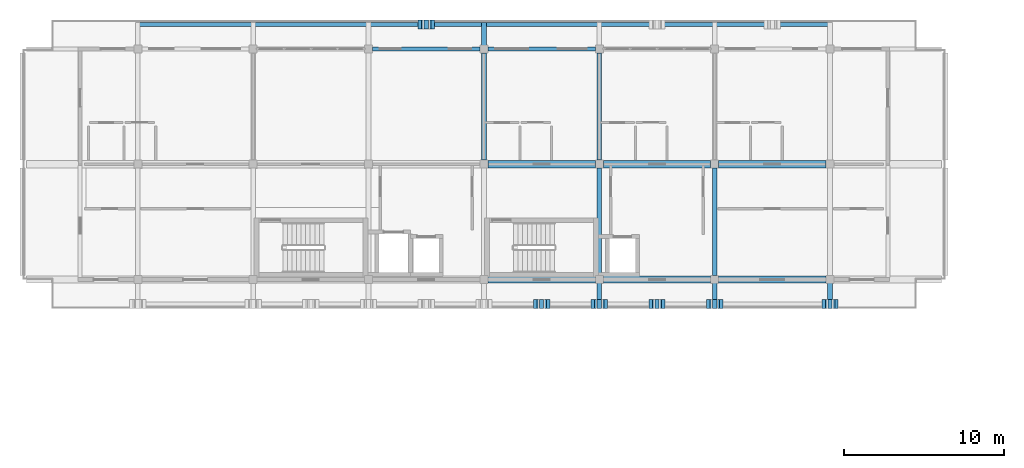
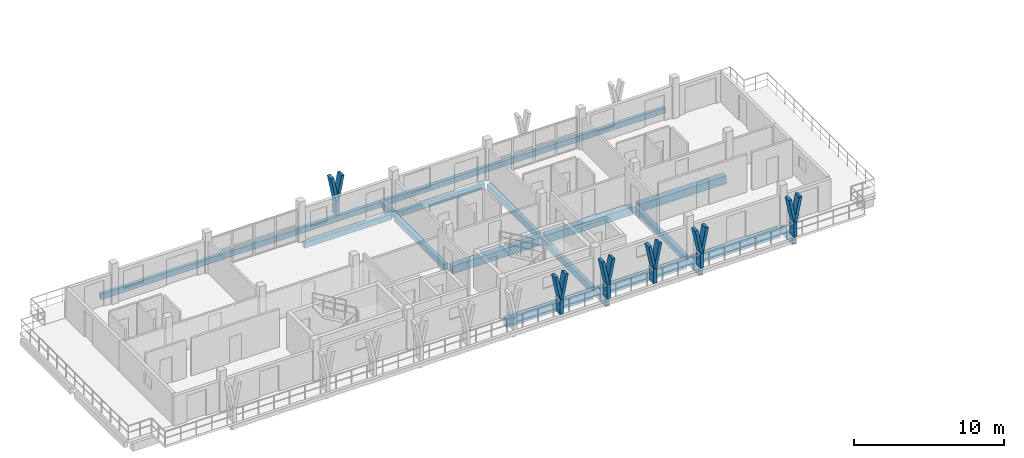
# One storey, part 8 of 19: 18 members, 17 beams.
"""IFC4 building model written with IfcOpenShell, lengths in metres."""

from ifc_helpers import new_model, si_unit, direction, frame, origin, origin_2d, place, context, subcontext, project, spatial, rectangle, extrude, material, material_profile, profile_set, type_object, element, save


model = new_model("IFC4")

# Units and contexts
model_context = context("Model", 3, precision=1e-05, world=origin(), true_north=direction((0.0, 1.0)))
body_context = subcontext(model_context, "Body", "Model", "MODEL_VIEW")
ifc_project = project(units=[si_unit("LENGTHUNIT", "METRE"), si_unit("AREAUNIT", "SQUARE_METRE"), si_unit("VOLUMEUNIT", "CUBIC_METRE"), si_unit("PLANEANGLEUNIT", "RADIAN"), si_unit("MASSUNIT", "GRAM", prefix="KILO")], contexts=[model_context])

# Site, building, storey
site_placement = place(None, origin())
site = spatial("IfcSite", under=ifc_project, at=site_placement, CompositionType="ELEMENT")
building_placement = place(site_placement, origin())
building = spatial("IfcBuilding", under=site, at=building_placement, Name="Suanplinth Sawtooth Commons", CompositionType="ELEMENT")
storey_placement = place(building_placement, frame((0.0, 0.0, 44.39990234375)))
storey = spatial("IfcBuildingStorey", under=building, at=storey_placement, Name="L13", CompositionType="ELEMENT", Elevation=44.39990234375)

# Beams
ifc_material_1 = material(Name="Precast concrete C40/50", Category="concrete")
ifc_material_profile_1 = material_profile(ifc_material_1, rectangle(XDim=0.449951171875, YDim=0.64990234375, at=origin_2d()), Name="PC-GDR 450x650")
ifc_profile_set_1 = profile_set([ifc_material_profile_1], Name="Precast concrete C40/50")
beam_type_1 = type_object("IfcBeamType", Name="B-04", PredefinedType="USERDEFINED", material=ifc_profile_set_1)
for number, where, z_axis, x_axis, name in (
    (1, (57.85009765625, 108.0, -0.574951171875), (1.0, 0.0, 0.0), (0.0, 1.0, 0.0), "BMX-L13-A-8-15"),
    (2, (57.85009765625, 115.199951171875, -0.574951171875), (1.0, 0.0, 0.0), (0.0, 1.0, 0.0), "BMX-L13-A-8-16"),
    (3, (65.050048828125, 108.0, -0.574951171875), (1.0, 0.0, 0.0), (0.0, 1.0, 0.0), "BMX-L13-A-9-15"),
    (4, (65.050048828125, 115.199951171875, -0.574951171875), (1.0, 0.0, 0.0), (0.0, 1.0, 0.0), "BMX-L13-A-9-16"),
    (5, (72.25, 108.0, -0.574951171875), (1.0, 0.0, 0.0), (0.0, 1.0, 0.0), "BMX-L13-A-10-15"),
    (6, (72.25, 115.199951171875, -0.574951171875), (1.0, 0.0, 0.0), (0.0, 1.0, 0.0), "BMX-L13-A-10-16"),
):
    element("IfcBeam", number, at=place(storey_placement, frame(where, z_axis=z_axis, x_axis=x_axis)), inside=storey, type_object=beam_type_1, Name=name, ObjectType="GIRDER", PredefinedType="USERDEFINED", context=body_context, shape_type="SweptSolid", body=[
        extrude(rectangle(XDim=0.449951171875, YDim=0.64990234375, at=origin_2d()), origin(), (0.0, 0.0, 1.0), 6.699951171875),
    ])
ifc_material_profile_2 = material_profile(ifc_material_1, rectangle(XDim=0.300048828125, YDim=0.5, at=origin_2d()), Name="PC-BM 300x500")
ifc_profile_set_2 = profile_set([ifc_material_profile_2], Name="Precast concrete C40/50")
beam_type_2 = type_object("IfcBeamType", Name="B-07", PredefinedType="BEAM", material=ifc_profile_set_2)
for number, where, z_axis, x_axis, name in (
    (7, (57.60009765625, 115.449951171875, -0.5), (0.0, 1.0, 0.0), (-1.0, 0.0, 0.0), "BMY-L13-A-8-16"),
    (8, (64.800048828125, 108.25, -0.5), (0.0, 1.0, 0.0), (-1.0, 0.0, 0.0), "BMY-L13-A-9-15"),
    (9, (64.800048828125, 115.449951171875, -0.5), (0.0, 1.0, 0.0), (-1.0, 0.0, 0.0), "BMY-L13-A-9-16"),
    (10, (72.0, 108.25, -0.5), (0.0, 1.0, 0.0), (-1.0, 0.0, 0.0), "BMY-L13-A-10-15"),
):
    element("IfcBeam", number, at=place(storey_placement, frame(where, z_axis=z_axis, x_axis=x_axis)), inside=storey, type_object=beam_type_2, Name=name, PredefinedType="BEAM", context=body_context, shape_type="SweptSolid", body=[
        extrude(rectangle(XDim=0.300048828125, YDim=0.5, at=origin_2d()), origin(), (0.0, 0.0, 1.0), 6.699951171875),
    ])
beam_1_placement = place(storey_placement, frame((57.60009765625, 122.39990234375, -0.429931640625), z_axis=(0.0, 1.0, 0.0), x_axis=(-1.0, 0.0, 0.0)))
element("IfcBeam", 11, at=beam_1_placement, inside=storey, type_object=beam_type_2, Name="Balcony Outrigger L13-A-N-8", PredefinedType="BEAM", context=body_context, shape_type="SweptSolid", body=[
    extrude(rectangle(XDim=0.300048828125, YDim=0.5, at=origin_2d()), origin(), (0.0, 0.0, 1.0), 1.64013671875),
])
for number, where, z_axis, x_axis, name in (
    (12, (64.800048828125, 108.0, -0.429931640625), (0.0, -1.0, 0.0), (1.0, 0.0, 0.0), "Balcony Outrigger L13-A-S-9"),
    (13, (72.0, 108.0, -0.429931640625), (0.0, -1.0, 0.0), (1.0, 0.0, 0.0), "Balcony Outrigger L13-A-S-10"),
    (14, (79.199951171875, 108.0, -0.429931640625), (0.0, -1.0, 0.0), (1.0, 0.0, 0.0), "Balcony Outrigger L13-A-S-11"),
):
    element("IfcBeam", number, at=place(storey_placement, frame(where, z_axis=z_axis, x_axis=x_axis)), inside=storey, type_object=beam_type_2, Name=name, PredefinedType="BEAM", context=body_context, shape_type="SweptSolid", body=[
        extrude(rectangle(XDim=0.300048828125, YDim=0.5, at=origin_2d()), origin(), (0.0, 0.0, 1.0), 1.639892578125),
    ])
ifc_material_profile_3 = material_profile(ifc_material_1, rectangle(XDim=0.25, YDim=0.449951171875, at=origin_2d()), Name="PC-SP 250x450")
ifc_profile_set_3 = profile_set([ifc_material_profile_3], Name="Precast concrete C40/50")
beam_type_3 = type_object("IfcBeamType", Name="B-09", PredefinedType="SPANDREL", material=ifc_profile_set_3)
beam_2_placement = place(storey_placement, frame((50.64990234375, 122.39990234375, -0.474853515625), z_axis=(1.0, 0.0, 0.0), x_axis=(0.0, 1.0, 0.0)))
element("IfcBeam", 15, at=beam_2_placement, inside=storey, type_object=beam_type_3, Name="BMX-L13-A-7-17", PredefinedType="SPANDREL", context=body_context, shape_type="SweptSolid", body=[
    extrude(rectangle(XDim=0.25, YDim=0.449951171875, at=origin_2d()), origin(), (0.0, 0.0, 1.0), 6.7001953125),
])
beam_3_placement = place(storey_placement, frame((57.85009765625, 122.39990234375, -0.474853515625), z_axis=(1.0, 0.0, 0.0), x_axis=(0.0, 1.0, 0.0)))
element("IfcBeam", 16, at=beam_3_placement, inside=storey, type_object=beam_type_3, Name="BMX-L13-A-8-17", PredefinedType="SPANDREL", context=body_context, shape_type="SweptSolid", body=[
    extrude(rectangle(XDim=0.25, YDim=0.449951171875, at=origin_2d()), origin(), (0.0, 0.0, 1.0), 6.699951171875),
])
beam_4_placement = place(storey_placement, frame((35.85009765625, 123.919921875, -0.40478515625), z_axis=(1.0, 0.0, 0.0), x_axis=(0.0, 1.0, 0.0)))
element("IfcBeam", 17, at=beam_4_placement, inside=storey, type_object=beam_type_3, Name="Balcony Edge Fascia L13-A-N", PredefinedType="SPANDREL", context=body_context, shape_type="SweptSolid", body=[
    extrude(rectangle(XDim=0.25, YDim=0.449951171875, at=origin_2d()), origin(), (0.0, 0.0, 1.0), 43.5),
])

# Members
ifc_material_2 = material(Name="Pigmented precast concrete C40/50", Category="concrete")
ifc_material_profile_4 = material_profile(ifc_material_2, rectangle(XDim=0.260009765625, YDim=0.550048828125, at=origin_2d()), Name="PC-FIN 260x550")
ifc_profile_set_4 = profile_set([ifc_material_profile_4], Name="Pigmented precast concrete C40/50")
member_type_1 = type_object("IfcMemberType", Name="M-09", PredefinedType="USERDEFINED", material=ifc_profile_set_4)
for number, where, z_axis, x_axis, name in (
    (18, (54.0, 123.919921875, 0.0), (0.0, 0.0, 1.0), (1.0, 0.0, 0.0), "Y-Blade Stem L13-A-N-01"),
    (19, (61.199951171875, 106.47998046875, 0.0), (0.0, 0.0, 1.0), (1.0, 0.0, 0.0), "Y-Blade Stem L13-A-S-10"),
    (20, (64.800048828125, 106.47998046875, 0.0), (0.0, 0.0, 1.0), (1.0, 0.0, 0.0), "Y-Blade Stem L13-A-S-11"),
    (21, (68.39990234375, 106.47998046875, 0.0), (0.0, 0.0, 1.0), (1.0, 0.0, 0.0), "Y-Blade Stem L13-A-S-12"),
    (22, (72.0, 106.47998046875, 0.0), (0.0, 0.0, 1.0), (1.0, 0.0, 0.0), "Y-Blade Stem L13-A-S-13"),
    (23, (79.199951171875, 106.47998046875, 0.0), (0.0, 0.0, 1.0), (1.0, 0.0, 0.0), "Y-Blade Stem L13-A-S-14"),
):
    element("IfcMember", number, at=place(storey_placement, frame(where, z_axis=z_axis, x_axis=x_axis)), inside=storey, type_object=member_type_1, Name=name, ObjectType="SHADING FIN", PredefinedType="USERDEFINED", context=body_context, shape_type="SweptSolid", body=[
        extrude(rectangle(XDim=0.260009765625, YDim=0.550048828125, at=origin_2d()), origin(), (0.0, 0.0, 1.0), 1.170166015625),
    ])
ifc_material_profile_5 = material_profile(ifc_material_2, rectangle(XDim=0.219970703125, YDim=0.550048828125, at=origin_2d()), Name="PC-FIN 220x550")
ifc_profile_set_5 = profile_set([ifc_material_profile_5], Name="Pigmented precast concrete C40/50")
member_type_2 = type_object("IfcMemberType", Name="M-10", PredefinedType="USERDEFINED", material=ifc_profile_set_5)
for number, where, z_axis, x_axis, name in (
    (24, (54.0, 123.919921875, 1.130126953125), (-0.196530428008, 0.0, 0.98049772609), (0.98049772609, 0.0, 0.196530428008), "Y-Blade Arm L L13-A-N-01"),
    (25, (54.0, 123.919921875, 1.130126953125), (0.196530428008, 0.0, 0.98049772609), (-0.98049772609, 0.0, 0.196530428008), "Y-Blade Arm R L13-A-N-01"),
    (26, (61.199951171875, 106.47998046875, 1.130126953125), (-0.196415357203, 0.0, 0.980520783795), (0.980520783795, 0.0, 0.196415357203), "Y-Blade Arm L L13-A-S-10"),
    (27, (61.199951171875, 106.47998046875, 1.130126953125), (0.196530428008, 0.0, 0.98049772609), (-0.98049772609, 0.0, 0.196530428008), "Y-Blade Arm R L13-A-S-10"),
    (28, (64.800048828125, 106.47998046875, 1.130126953125), (-0.196530428008, 0.0, 0.98049772609), (0.98049772609, 0.0, 0.196530428008), "Y-Blade Arm L L13-A-S-11"),
    (29, (64.800048828125, 106.47998046875, 1.130126953125), (0.196415357203, 0.0, 0.980520783795), (-0.980520783795, 0.0, 0.196415357203), "Y-Blade Arm R L13-A-S-11"),
    (30, (68.39990234375, 106.47998046875, 1.130126953125), (-0.196415357203, 0.0, 0.980520783795), (0.980520783795, 0.0, 0.196415357203), "Y-Blade Arm L L13-A-S-12"),
    (31, (68.39990234375, 106.47998046875, 1.130126953125), (0.196530428008, 0.0, 0.98049772609), (-0.98049772609, 0.0, 0.196530428008), "Y-Blade Arm R L13-A-S-12"),
    (32, (72.0, 106.47998046875, 1.130126953125), (-0.196530428008, 0.0, 0.98049772609), (0.98049772609, 0.0, 0.196530428008), "Y-Blade Arm L L13-A-S-13"),
    (33, (72.0, 106.47998046875, 1.130126953125), (0.196530428008, 0.0, 0.98049772609), (-0.98049772609, 0.0, 0.196530428008), "Y-Blade Arm R L13-A-S-13"),
    (34, (79.199951171875, 106.47998046875, 1.130126953125), (-0.196415357203, 0.0, 0.980520783795), (0.980520783795, 0.0, 0.196415357203), "Y-Blade Arm L L13-A-S-14"),
    (35, (79.199951171875, 106.47998046875, 1.130126953125), (0.196530428008, 0.0, 0.98049772609), (-0.98049772609, 0.0, 0.196530428008), "Y-Blade Arm R L13-A-S-14"),
):
    element("IfcMember", number, at=place(storey_placement, frame(where, z_axis=z_axis, x_axis=x_axis)), inside=storey, type_object=member_type_2, Name=name, ObjectType="SHADING FIN", PredefinedType="USERDEFINED", context=body_context, shape_type="SweptSolid", body=[
        extrude(rectangle(XDim=0.219970703125, YDim=0.550048828125, at=origin_2d()), origin(), (0.0, 0.0, 1.0), 2.039794921875),
    ])

save(model, "model.ifc")
